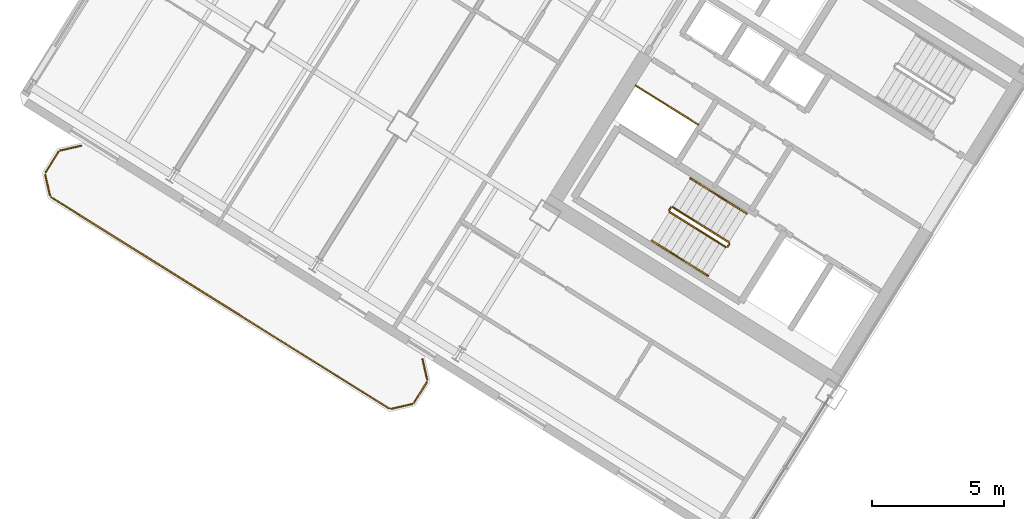
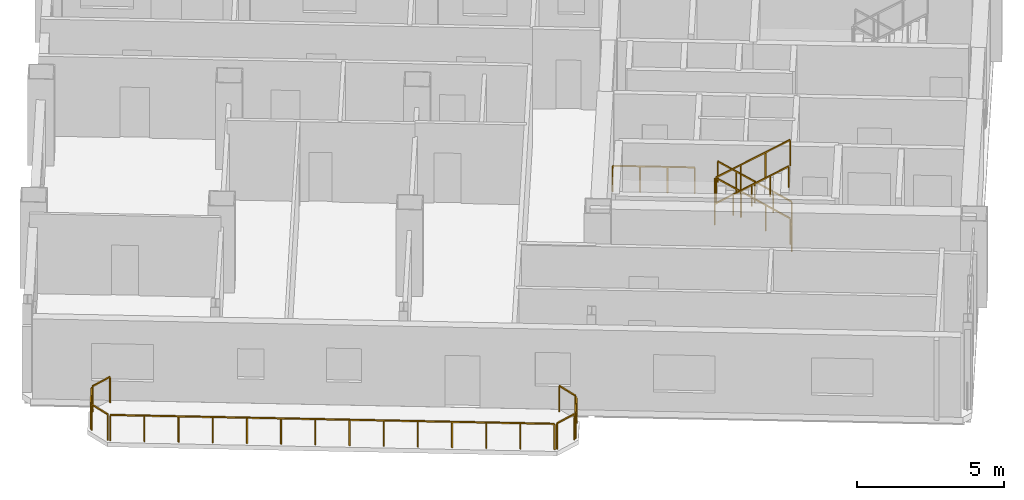
# One storey, part 15 of 18: 16 railings.
"""IFC4 building model written with IfcOpenShell, lengths in metres."""

import ifcopenshell
import ifcopenshell.guid

model = None  # the IFC model being written
_history = None  # IfcOwnerHistory: only IFC2X3 demands one
_inside = {}  # id of a spatial element -> (the spatial element, [elements in it])
_under = {}  # id of a project, library or spatial element -> (it, [spatial elements below it])
_declared = {}  # id of a project -> (the project, [libraries it declares])
_typed = {}  # id of a type object -> (the type object, [elements of that type])
_made_of = {}  # id of a material, layer set ... -> (it, [elements and type objects made of it])


def new_model(schema):
    """Start an empty IFC model of exactly this schema.

    Asked for "IFC4X3", IfcOpenShell would pick the latest addendum, in which some entities
    have other attributes; the version numbers below select the first issue.
    IFC2X3 requires an IfcOwnerHistory on every rooted entity: one is made here for all.
    """
    global model, _history
    if schema == "IFC4X3":
        model = ifcopenshell.file(schema_version=(4, 3, 0, 0))
    else:
        model = ifcopenshell.file(schema=schema)
    _inside.clear()
    _under.clear()
    _declared.clear()
    _typed.clear()
    _made_of.clear()
    _history = None
    if model.schema == "IFC2X3":
        org = make("IfcOrganization", Name="unknown")
        user = make(
            "IfcPersonAndOrganization",
            ThePerson=make("IfcPerson", FamilyName="unknown"),
            TheOrganization=org,
        )
        app = make(
            "IfcApplication",
            ApplicationDeveloper=org,
            Version="unknown",
            ApplicationFullName="unknown",
            ApplicationIdentifier="unknown",
        )
        _history = make(
            "IfcOwnerHistory",
            OwningUser=user,
            OwningApplication=app,
            ChangeAction="ADDED",
            CreationDate=0,
        )
    return model


def make(cls, **values):
    """One entity of the class cls with the attributes given. An attribute that is None is left unset."""
    return model.create_entity(
        cls, **{name: value for name, value in values.items() if value is not None}
    )


def rooted(cls, **values):
    """An entity with a GlobalId (a new one), such as an element, a storey or a relation."""
    return make(cls, GlobalId=ifcopenshell.guid.new(), OwnerHistory=_history, **values)


def si_unit(unit_type, name, prefix=None):
    """IfcSIUnit, for example si_unit("LENGTHUNIT", "METRE", prefix="MILLI")."""
    return make("IfcSIUnit", UnitType=unit_type, Prefix=prefix, Name=name)


def assignment(units):
    """IfcUnitAssignment: the units of a project."""
    return None if units is None else make("IfcUnitAssignment", Units=units)


def point(xyz):
    """IfcCartesianPoint."""
    return None if xyz is None else make("IfcCartesianPoint", Coordinates=xyz)


def direction(xyz):
    """IfcDirection."""
    return None if xyz is None else make("IfcDirection", DirectionRatios=xyz)


def frame(location, z_axis=None, x_axis=None):
    """IfcAxis2Placement3D, a coordinate frame: its origin and axes. An axis left out is left unset."""
    return make(
        "IfcAxis2Placement3D",
        Location=point(location),
        Axis=direction(z_axis),
        RefDirection=direction(x_axis),
    )


def frame_2d(location, x_axis=None):
    """IfcAxis2Placement2D, a coordinate frame in the plane: its origin and x axis."""
    return make(
        "IfcAxis2Placement2D", Location=point(location), RefDirection=direction(x_axis)
    )


def origin():
    """The frame at (0, 0, 0) with its axes left unset."""
    return frame((0.0, 0.0, 0.0))


def origin_2d():
    """The frame at (0, 0) in the plane with its x axis left unset."""
    return frame_2d((0.0, 0.0))


def place(relative_to, where):
    """IfcLocalPlacement: puts the frame where relative to a parent placement (None: the world)."""
    return make(
        "IfcLocalPlacement", PlacementRelTo=relative_to, RelativePlacement=where
    )


def context(
    kind, dimensions, precision=None, world=None, true_north=None, identifier=None
):
    """IfcGeometricRepresentationContext, for example the 3D "Model" context."""
    return make(
        "IfcGeometricRepresentationContext",
        ContextIdentifier=identifier,
        ContextType=kind,
        CoordinateSpaceDimension=dimensions,
        Precision=precision,
        WorldCoordinateSystem=world,
        TrueNorth=true_north,
    )


def subcontext(parent, identifier, kind, view, scale=None):
    """IfcGeometricRepresentationSubContext, for example "Body" below "Model"."""
    return make(
        "IfcGeometricRepresentationSubContext",
        ContextIdentifier=identifier,
        ContextType=kind,
        ParentContext=parent,
        TargetScale=scale,
        TargetView=view,
    )


def project(units=None, contexts=None):
    """IfcProject with its units and contexts."""
    return rooted(
        "IfcProject",
        Name="project",
        RepresentationContexts=contexts,
        UnitsInContext=assignment(units),
    )


def spatial(cls, under=None, at=None, **own):
    """A site, building, storey or space (cls), placed at a placement, below another one or the project."""
    s = rooted(cls, ObjectPlacement=at, **own)
    if under is not None:
        _under.setdefault(under.id(), (under, []))[1].append(s)
    return s


def profile(cls, at=None, kind="AREA", **sizes):
    """A parametric profile (cls). Its sizes go by their IFC names, for example OverallWidth=200.0."""
    return make(cls, ProfileType=kind, Position=at, **sizes)


def rectangle(**sizes):
    """IfcRectangleProfileDef."""
    return profile("IfcRectangleProfileDef", **sizes)


def extrude(swept, where, along, depth):
    """IfcExtrudedAreaSolid: the profile swept, set in the frame where, extruded along a direction by depth."""
    return make(
        "IfcExtrudedAreaSolid",
        SweptArea=swept,
        Position=where,
        ExtrudedDirection=direction(along),
        Depth=depth,
    )


def shape(context_of_items, identifier, shape_type, items):
    """IfcShapeRepresentation: the items that make up one representation, for example the "Body"."""
    return make(
        "IfcShapeRepresentation",
        ContextOfItems=context_of_items,
        RepresentationIdentifier=identifier,
        RepresentationType=shape_type,
        Items=items,
    )


def source(mapping_origin, context_of_items, identifier, shape_type, items):
    """IfcRepresentationMap: a shape defined once, which mapped items show again and again."""
    return make(
        "IfcRepresentationMap",
        MappingOrigin=mapping_origin,
        MappedRepresentation=shape(context_of_items, identifier, shape_type, items),
    )


def transform(
    local_origin,
    x_axis=None,
    y_axis=None,
    z_axis=None,
    scale=None,
    scale2=None,
    scale3=None,
    uniform=True,
):
    """IfcCartesianTransformationOperator3D, or its non-uniform kind. x_axis, y_axis, z_axis: its Axis1, 2, 3."""
    if uniform:
        return make(
            "IfcCartesianTransformationOperator3D",
            Axis1=direction(x_axis),
            Axis2=direction(y_axis),
            LocalOrigin=point(local_origin),
            Scale=scale,
            Axis3=direction(z_axis),
        )
    return make(
        "IfcCartesianTransformationOperator3DnonUniform",
        Axis1=direction(x_axis),
        Axis2=direction(y_axis),
        LocalOrigin=point(local_origin),
        Scale=scale,
        Axis3=direction(z_axis),
        Scale2=scale2,
        Scale3=scale3,
    )


def mapped(mapping_source, mapping_target):
    """IfcMappedItem: shows the shape of a source again, moved by a transform."""
    return make(
        "IfcMappedItem", MappingSource=mapping_source, MappingTarget=mapping_target
    )


def material(Name=None, Category=None):
    """IfcMaterial."""
    return make("IfcMaterial", Name=Name, Category=Category)


def made_of(thing, what):
    """Note that an element or type object is made of a material, layer set ...; save() writes the relation."""
    if what is not None:
        _made_of.setdefault(what.id(), (what, []))[1].append(thing)
    return thing


def type_object(cls, material=None, **own):
    """A type object (cls), such as IfcWallType, which elements share."""
    return made_of(rooted(cls, **own), material)


def element(
    cls,
    number,
    at=None,
    inside=None,
    cuts=None,
    type_object=None,
    material=None,
    context=None,
    identifier="Body",
    shape_type=None,
    held_by="IfcProductDefinitionShape",
    body=None,
    shapes=None,
    **own,
):
    """One element of the class cls, such as IfcWall. Its Tag is "e" and its number.

    at: its placement. inside: the storey or other place that contains it. cuts: it is an
    opening in that element (IfcRelVoidsElement). A single representation is given by context,
    identifier, shape_type and body (its items); several are given by shapes. held_by: the class
    of the entity that holds the representations. save() writes the other relations.
    """
    e = rooted(cls, Tag="e%d" % number, ObjectPlacement=at, **own)
    if body is not None:
        shapes = [shape(context, identifier, shape_type, body)]
    if shapes is not None:
        e.Representation = make(held_by, Representations=shapes)
    if inside is not None:
        _inside.setdefault(inside.id(), (inside, []))[1].append(e)
    if cuts is not None:
        rooted(
            "IfcRelVoidsElement", RelatingBuildingElement=cuts, RelatedOpeningElement=e
        )
    if type_object is not None:
        _typed.setdefault(type_object.id(), (type_object, []))[1].append(e)
    return made_of(e, material)


def aggregate(whole, parts):
    """IfcRelAggregates: a whole, such as a stair, and the parts it consists of."""
    return rooted("IfcRelAggregates", RelatingObject=whole, RelatedObjects=parts)


def save(model, path):
    """Write the relations noted so far, then the file.

    IfcRelAggregates (storeys below a building ...), IfcRelContainedInSpatialStructure (elements
    in a storey), IfcRelDefinesByType, IfcRelAssociatesMaterial and IfcRelDeclares: one each for
    every whole, place, type object, material and project.
    """
    for whole, parts in _under.values():
        aggregate(whole, parts)
    for where, things in _inside.values():
        rooted(
            "IfcRelContainedInSpatialStructure",
            RelatedElements=things,
            RelatingStructure=where,
        )
    for kind, things in _typed.values():
        rooted("IfcRelDefinesByType", RelatedObjects=things, RelatingType=kind)
    for what, things in _made_of.values():
        rooted("IfcRelAssociatesMaterial", RelatedObjects=things, RelatingMaterial=what)
    for by, libraries in _declared.values():
        rooted("IfcRelDeclares", RelatingContext=by, RelatedDefinitions=libraries)
    model.write(path)


model = new_model("IFC4")

# Units and contexts
model_context = context("Model", 3, precision=1e-05, world=origin(), true_north=direction((0.0, 1.0)))
body_context = subcontext(model_context, "Body", "Model", "MODEL_VIEW")
ifc_project = project(units=[si_unit("LENGTHUNIT", "METRE"), si_unit("AREAUNIT", "SQUARE_METRE"), si_unit("VOLUMEUNIT", "CUBIC_METRE"), si_unit("PLANEANGLEUNIT", "RADIAN"), si_unit("MASSUNIT", "GRAM", prefix="KILO")], contexts=[model_context])

# Site, building, storey
site_placement = place(None, origin())
site = spatial("IfcSite", under=ifc_project, at=site_placement, CompositionType="ELEMENT")
building_placement = place(site_placement, origin())
building = spatial("IfcBuilding", under=site, at=building_placement, Name="Tlacorven Tower", CompositionType="ELEMENT")
storey_placement = place(building_placement, frame((0.0, 0.0, 132.60009765625)))
storey = spatial("IfcBuildingStorey", under=building, at=storey_placement, Name="L33", CompositionType="ELEMENT", Elevation=132.60009765625)

# Railings
ifc_material = material(Name="Aluminium and painted steel balustrade", Category="steel")
railing_type_1 = type_object("IfcRailingType", Name="RL-GRD-1100", PredefinedType="GUARDRAIL", material=ifc_material)
shared_shape_1 = source(origin(), body_context, "Body", "SweptSolid", [
    extrude(rectangle(XDim=0.048095703125, YDim=0.048095703125, at=origin_2d()), frame((0.0, 0.0, 1.076171875), z_axis=(-0.848091358275, 0.529850024081, 0.0), x_axis=(-0.529850024081, -0.848091358275, 0.0)), (0.0, 0.0, 1.0), 2.800048828125),
    extrude(rectangle(XDim=0.0419921875, YDim=0.0419921875, at=origin_2d()), origin(), (0.0, 0.0, 1.0), 1.052001953125),
    extrude(rectangle(XDim=0.0419921875, YDim=0.0419921875, at=origin_2d()), frame((-0.79150390625, 0.49462890625, 0.0)), (0.0, 0.0, 1.0), 1.052001953125),
    extrude(rectangle(XDim=0.0419921875, YDim=0.0419921875, at=origin_2d()), frame((-1.583251953125, 0.989013671875, 0.0)), (0.0, 0.0, 1.0), 1.052001953125),
    extrude(rectangle(XDim=0.0419921875, YDim=0.0419921875, at=origin_2d()), frame((-2.374755859375, 1.483642578125, 0.0)), (0.0, 0.0, 1.0), 1.052001953125),
])
railing_1_placement = place(storey_placement, frame((27.9912109375, 22.32080078125, 0.0)))
element("IfcRailing", 1, at=railing_1_placement, inside=storey, type_object=railing_type_1, Name="L33 Electrical Riser W Shaft Guard 1", PredefinedType="GUARDRAIL", context=body_context, shape_type="MappedRepresentation", body=[
    mapped(shared_shape_1, transform((0.0, 0.0, 0.0), scale=1.0)),
])
railing_type_2 = type_object("IfcRailingType", Name="RL-BAL-1100", PredefinedType="BALUSTRADE", material=ifc_material)
shared_shape_2 = source(origin(), body_context, "Body", "SweptSolid", [
    extrude(rectangle(XDim=0.048095703125, YDim=0.048095703125, at=origin_2d()), frame((0.0, 0.0, 1.076171875), z_axis=(0.225058334816, -0.974345290916, 0.0), x_axis=(0.974345290916, 0.225058334816, 0.0)), (0.0, 0.0, 1.0), 0.80712890625),
    extrude(rectangle(XDim=0.0419921875, YDim=0.0419921875, at=origin_2d()), origin(), (0.0, 0.0, 1.0), 1.052001953125),
    extrude(rectangle(XDim=0.0419921875, YDim=0.0419921875, at=origin_2d()), frame((0.181640625, -0.786376953125, 0.0)), (0.0, 0.0, 1.0), 1.052001953125),
])
railing_2_placement = place(storey_placement, frame((17.5244140625, 13.413330078125, 0.0)))
element("IfcRailing", 2, at=railing_2_placement, inside=storey, type_object=railing_type_2, Name="BAL-L33-W-OUT Guard Railing 1", PredefinedType="BALUSTRADE", context=body_context, shape_type="MappedRepresentation", body=[
    mapped(shared_shape_2, transform((0.0, 0.0, 0.0), scale=1.0)),
])
shared_shape_3 = source(origin(), body_context, "Body", "SweptSolid", [
    extrude(rectangle(XDim=0.048095703125, YDim=0.048095703125, at=origin_2d()), frame((0.0, 0.0, 1.076171875), z_axis=(-0.52987865805, -0.848073468364, 0.0), x_axis=(0.848073468364, -0.52987865805, 0.0)), (0.0, 0.0, 1.0), 0.912353515625),
    extrude(rectangle(XDim=0.0419921875, YDim=0.0419921875, at=origin_2d()), origin(), (0.0, 0.0, 1.0), 1.052001953125),
    extrude(rectangle(XDim=0.0419921875, YDim=0.0419921875, at=origin_2d()), frame((-0.4833984375, -0.773681640625, 0.0)), (0.0, 0.0, 1.0), 1.052001953125),
])
railing_3_placement = place(storey_placement, frame((17.690673828125, 12.535888671875, 0.0)))
element("IfcRailing", 3, at=railing_3_placement, inside=storey, type_object=railing_type_2, Name="BAL-L33-W-OUT Guard Railing 2", PredefinedType="BALUSTRADE", context=body_context, shape_type="MappedRepresentation", body=[
    mapped(shared_shape_3, transform((0.0, 0.0, 0.0), scale=1.0)),
])
shared_shape_4 = source(origin(), body_context, "Body", "SweptSolid", [
    extrude(rectangle(XDim=0.048095703125, YDim=0.048095703125, at=origin_2d()), frame((0.0, 0.0, 1.076171875), z_axis=(-0.974411586182, -0.224771129628, 0.0), x_axis=(0.224771129628, -0.974411586182, 0.0)), (0.0, 0.0, 1.0), 0.80712890625),
    extrude(rectangle(XDim=0.0419921875, YDim=0.0419921875, at=origin_2d()), origin(), (0.0, 0.0, 1.0), 1.052001953125),
    extrude(rectangle(XDim=0.0419921875, YDim=0.0419921875, at=origin_2d()), frame((-0.786376953125, -0.181396484375, 0.0)), (0.0, 0.0, 1.0), 1.052001953125),
])
railing_4_placement = place(storey_placement, frame((17.132080078125, 11.70849609375, 0.0)))
element("IfcRailing", 4, at=railing_4_placement, inside=storey, type_object=railing_type_2, Name="BAL-L33-W-OUT Guard Railing 3", PredefinedType="BALUSTRADE", context=body_context, shape_type="MappedRepresentation", body=[
    mapped(shared_shape_4, transform((0.0, 0.0, 0.0), scale=1.0)),
])
shared_shape_5 = source(origin(), body_context, "Body", "SweptSolid", [
    extrude(rectangle(XDim=0.048095703125, YDim=0.048095703125, at=origin_2d()), frame((0.0, 0.0, 1.076171875), z_axis=(-0.848044572804, 0.529924902733, 0.0), x_axis=(-0.529924902733, -0.848044572804, 0.0)), (0.0, 0.0, 1.0), 15.1171875),
    extrude(rectangle(XDim=0.0419921875, YDim=0.0419921875, at=origin_2d()), origin(), (0.0, 0.0, 1.0), 1.052001953125),
    extrude(rectangle(XDim=0.0419921875, YDim=0.0419921875, at=origin_2d()), frame((-0.986083984375, 0.6162109375, 0.0)), (0.0, 0.0, 1.0), 1.052001953125),
    extrude(rectangle(XDim=0.0419921875, YDim=0.0419921875, at=origin_2d()), frame((-1.972412109375, 1.232421875, 0.0)), (0.0, 0.0, 1.0), 1.052001953125),
    extrude(rectangle(XDim=0.0419921875, YDim=0.0419921875, at=origin_2d()), frame((-2.95849609375, 1.8486328125, 0.0)), (0.0, 0.0, 1.0), 1.052001953125),
    extrude(rectangle(XDim=0.0419921875, YDim=0.0419921875, at=origin_2d()), frame((-3.944580078125, 2.46484375, 0.0)), (0.0, 0.0, 1.0), 1.052001953125),
    extrude(rectangle(XDim=0.0419921875, YDim=0.0419921875, at=origin_2d()), frame((-4.930908203125, 3.0810546875, 0.0)), (0.0, 0.0, 1.0), 1.052001953125),
    extrude(rectangle(XDim=0.0419921875, YDim=0.0419921875, at=origin_2d()), frame((-5.9169921875, 3.697265625, 0.0)), (0.0, 0.0, 1.0), 1.052001953125),
    extrude(rectangle(XDim=0.0419921875, YDim=0.0419921875, at=origin_2d()), frame((-6.903076171875, 4.313720703125, 0.0)), (0.0, 0.0, 1.0), 1.052001953125),
    extrude(rectangle(XDim=0.0419921875, YDim=0.0419921875, at=origin_2d()), frame((-7.88916015625, 4.929931640625, 0.0)), (0.0, 0.0, 1.0), 1.052001953125),
    extrude(rectangle(XDim=0.0419921875, YDim=0.0419921875, at=origin_2d()), frame((-8.87548828125, 5.546142578125, 0.0)), (0.0, 0.0, 1.0), 1.052001953125),
    extrude(rectangle(XDim=0.0419921875, YDim=0.0419921875, at=origin_2d()), frame((-9.861572265625, 6.162353515625, 0.0)), (0.0, 0.0, 1.0), 1.052001953125),
    extrude(rectangle(XDim=0.0419921875, YDim=0.0419921875, at=origin_2d()), frame((-10.84765625, 6.778564453125, 0.0)), (0.0, 0.0, 1.0), 1.052001953125),
    extrude(rectangle(XDim=0.0419921875, YDim=0.0419921875, at=origin_2d()), frame((-11.833984375, 7.394775390625, 0.0)), (0.0, 0.0, 1.0), 1.052001953125),
    extrude(rectangle(XDim=0.0419921875, YDim=0.0419921875, at=origin_2d()), frame((-12.820068359375, 8.010986328125, 0.0)), (0.0, 0.0, 1.0), 1.052001953125),
])
railing_5_placement = place(storey_placement, frame((16.254638671875, 11.542236328125, 0.0)))
element("IfcRailing", 5, at=railing_5_placement, inside=storey, type_object=railing_type_2, Name="BAL-L33-W-OUT Guard Railing 4", PredefinedType="BALUSTRADE", context=body_context, shape_type="MappedRepresentation", body=[
    mapped(shared_shape_5, transform((0.0, 0.0, 0.0), scale=1.0)),
])
shared_shape_6 = source(origin(), body_context, "Body", "SweptSolid", [
    extrude(rectangle(XDim=0.048095703125, YDim=0.048095703125, at=origin_2d()), frame((0.0, 0.0, 1.076171875), z_axis=(-0.225058334816, 0.974345290916, 0.0), x_axis=(-0.974345290916, -0.225058334816, 0.0)), (0.0, 0.0, 1.0), 0.80712890625),
    extrude(rectangle(XDim=0.0419921875, YDim=0.0419921875, at=origin_2d()), origin(), (0.0, 0.0, 1.0), 1.052001953125),
    extrude(rectangle(XDim=0.0419921875, YDim=0.0419921875, at=origin_2d()), frame((-0.181640625, 0.786376953125, 0.0)), (0.0, 0.0, 1.0), 1.052001953125),
])
railing_6_placement = place(storey_placement, frame((3.380859375, 19.62841796875, 0.0)))
element("IfcRailing", 6, at=railing_6_placement, inside=storey, type_object=railing_type_2, Name="BAL-L33-W-OUT Guard Railing 5", PredefinedType="BALUSTRADE", context=body_context, shape_type="MappedRepresentation", body=[
    mapped(shared_shape_6, transform((0.0, 0.0, 0.0), scale=1.0)),
])
shared_shape_7 = source(origin(), body_context, "Body", "SweptSolid", [
    extrude(rectangle(XDim=0.048095703125, YDim=0.048095703125, at=origin_2d()), frame((0.0, 0.0, 1.076171875), z_axis=(0.52987865805, 0.848073468364, 0.0), x_axis=(-0.848073468364, 0.52987865805, 0.0)), (0.0, 0.0, 1.0), 0.912353515625),
    extrude(rectangle(XDim=0.0419921875, YDim=0.0419921875, at=origin_2d()), origin(), (0.0, 0.0, 1.0), 1.052001953125),
    extrude(rectangle(XDim=0.0419921875, YDim=0.0419921875, at=origin_2d()), frame((0.4833984375, 0.773681640625, 0.0)), (0.0, 0.0, 1.0), 1.052001953125),
])
railing_7_placement = place(storey_placement, frame((3.214599609375, 20.505859375, 0.0)))
element("IfcRailing", 7, at=railing_7_placement, inside=storey, type_object=railing_type_2, Name="BAL-L33-W-OUT Guard Railing 6", PredefinedType="BALUSTRADE", context=body_context, shape_type="MappedRepresentation", body=[
    mapped(shared_shape_7, transform((0.0, 0.0, 0.0), scale=1.0)),
])
shared_shape_8 = source(origin(), body_context, "Body", "SweptSolid", [
    extrude(rectangle(XDim=0.048095703125, YDim=0.048095703125, at=origin_2d()), frame((0.0, 0.0, 1.076171875), z_axis=(0.974345290916, 0.225058334816, 0.0), x_axis=(-0.225058334816, 0.974345290916, 0.0)), (0.0, 0.0, 1.0), 0.80712890625),
    extrude(rectangle(XDim=0.0419921875, YDim=0.0419921875, at=origin_2d()), origin(), (0.0, 0.0, 1.0), 1.052001953125),
    extrude(rectangle(XDim=0.0419921875, YDim=0.0419921875, at=origin_2d()), frame((0.786376953125, 0.181640625, 0.0)), (0.0, 0.0, 1.0), 1.052001953125),
])
railing_8_placement = place(storey_placement, frame((3.773193359375, 21.3330078125, 0.0)))
element("IfcRailing", 8, at=railing_8_placement, inside=storey, type_object=railing_type_2, Name="BAL-L33-W-OUT Guard Railing 7", PredefinedType="BALUSTRADE", context=body_context, shape_type="MappedRepresentation", body=[
    mapped(shared_shape_8, transform((0.0, 0.0, 0.0), scale=1.0)),
])
shared_shape_9 = source(origin(), body_context, "Body", "SweptSolid", [
    extrude(rectangle(XDim=0.048095703125, YDim=0.048095703125, at=origin_2d()), frame((0.0, 0.0, 1.076171875), z_axis=(-0.529084052582, -0.848569422795, 0.0), x_axis=(0.848569422795, -0.529084052582, 0.0)), (0.0, 0.0, 1.0), 0.119873046875),
    extrude(rectangle(XDim=0.0419921875, YDim=0.0419921875, at=origin_2d()), origin(), (0.0, 0.0, 1.0), 1.052001953125),
    extrude(rectangle(XDim=0.0419921875, YDim=0.0419921875, at=origin_2d()), frame((-0.0634765625, -0.101806640625, 0.0)), (0.0, 0.0, 1.0), 1.052001953125),
])
railing_9_placement = place(storey_placement, frame((29.176513671875, 17.782958984375, 0.0)))
element("IfcRailing", 9, at=railing_9_placement, inside=storey, type_object=railing_type_1, Name="L33 ST-W1 stair guard 4", PredefinedType="GUARDRAIL", context=body_context, shape_type="MappedRepresentation", body=[
    mapped(shared_shape_9, transform((0.0, 0.0, 0.0), scale=1.0)),
])
shared_shape_10 = source(origin(), body_context, "Body", "SweptSolid", [
    extrude(rectangle(XDim=0.048095703125, YDim=0.048095703125, at=origin_2d()), frame((0.0, 0.0, 1.076171875), z_axis=(-0.530546985787, -0.847655529016, 0.0), x_axis=(0.847655529016, -0.530546985787, 0.0)), (0.0, 0.0, 1.0), 0.1201171875),
    extrude(rectangle(XDim=0.0419921875, YDim=0.0419921875, at=origin_2d()), origin(), (0.0, 0.0, 1.0), 1.052001953125),
    extrude(rectangle(XDim=0.0419921875, YDim=0.0419921875, at=origin_2d()), frame((-0.063720703125, -0.101806640625, 0.0)), (0.0, 0.0, 1.0), 1.052001953125),
])
railing_10_placement = place(storey_placement, frame((26.954833984375, 19.17138671875, 1.7998046875)))
element("IfcRailing", 10, at=railing_10_placement, inside=storey, type_object=railing_type_1, Name="L33 ST-W1 stair guard 2", PredefinedType="GUARDRAIL", context=body_context, shape_type="MappedRepresentation", body=[
    mapped(shared_shape_10, transform((0.0, 0.0, 0.0), scale=1.0)),
])
railing_type_3 = type_object("IfcRailingType", Name="RL-HND-0900", PredefinedType="HANDRAIL", material=ifc_material)
shared_shape_11 = source(origin(), body_context, "Body", "SweptSolid", [
    extrude(rectangle(XDim=0.048095703125, YDim=0.048095703125, at=origin_2d()), frame((0.0, 0.0, 0.8759765625), z_axis=(-0.713359751793, 0.4457479829, 0.540764828981), x_axis=(-0.529911857636, -0.848052724267, 0.0)), (0.0, 0.0, 1.0), 1.498046875),
    extrude(rectangle(XDim=0.0419921875, YDim=0.0419921875, at=origin_2d()), origin(), (0.0, 0.0, 1.0), 0.851806640625),
    extrude(rectangle(XDim=0.0419921875, YDim=0.0419921875, at=origin_2d()), frame((-0.5341796875, 0.333984375, 0.405029296875)), (0.0, 0.0, 1.0), 0.851806640625),
    extrude(rectangle(XDim=0.0419921875, YDim=0.0419921875, at=origin_2d()), frame((-1.068603515625, 0.667724609375, 0.81005859375)), (0.0, 0.0, 1.0), 0.851806640625),
])
railing_11_placement = place(storey_placement, frame((29.839111328125, 18.937255859375, 0.179931640625)))
element("IfcRailing", 11, at=railing_11_placement, inside=storey, type_object=railing_type_3, Name="L33 ST-W1 stair handrail 1", PredefinedType="HANDRAIL", context=body_context, shape_type="MappedRepresentation", body=[
    mapped(shared_shape_11, transform((0.0, 0.0, 0.0), scale=1.0)),
])
shared_shape_12 = source(origin(), body_context, "Body", "SweptSolid", [
    extrude(rectangle(XDim=0.048095703125, YDim=0.048095703125, at=origin_2d()), frame((0.0, 0.0, 0.8759765625), z_axis=(0.713279695859, -0.445799809912, 0.540827703579), x_axis=(0.529998940003, 0.847998304005, 0.0)), (0.0, 0.0, 1.0), 1.497802734375),
    extrude(rectangle(XDim=0.0419921875, YDim=0.0419921875, at=origin_2d()), origin(), (0.0, 0.0, 1.0), 0.851806640625),
    extrude(rectangle(XDim=0.0419921875, YDim=0.0419921875, at=origin_2d()), frame((0.5341796875, -0.333984375, 0.405029296875)), (0.0, 0.0, 1.0), 0.851806640625),
    extrude(rectangle(XDim=0.0419921875, YDim=0.0419921875, at=origin_2d()), frame((1.068359375, -0.667724609375, 0.81005859375)), (0.0, 0.0, 1.0), 0.851806640625),
])
railing_12_placement = place(storey_placement, frame((27.29736328125, 17.24755859375, 2.789794921875)))
element("IfcRailing", 12, at=railing_12_placement, inside=storey, type_object=railing_type_3, Name="L33 ST-W1 stair handrail 4", PredefinedType="HANDRAIL", context=body_context, shape_type="MappedRepresentation", body=[
    mapped(shared_shape_12, transform((0.0, 0.0, 0.0), scale=1.0)),
])
shared_shape_13 = source(origin(), body_context, "Body", "SweptSolid", [
    extrude(rectangle(XDim=0.048095703125, YDim=0.048095703125, at=origin_2d()), frame((0.0, 0.0, 1.076171875), z_axis=(-0.713351164325, 0.445793541512, 0.540738601085), x_axis=(-0.529955395941, -0.84802551749, 0.0)), (0.0, 0.0, 1.0), 2.99560546875),
    extrude(rectangle(XDim=0.0419921875, YDim=0.0419921875, at=origin_2d()), origin(), (0.0, 0.0, 1.0), 1.052001953125),
    extrude(rectangle(XDim=0.0419921875, YDim=0.0419921875, at=origin_2d()), frame((-0.71240234375, 0.445068359375, 0.5400390625)), (0.0, 0.0, 1.0), 1.052001953125),
    extrude(rectangle(XDim=0.0419921875, YDim=0.0419921875, at=origin_2d()), frame((-1.424560546875, 0.890380859375, 1.079833984375)), (0.0, 0.0, 1.0), 1.052001953125),
    extrude(rectangle(XDim=0.0419921875, YDim=0.0419921875, at=origin_2d()), frame((-2.136962890625, 1.33544921875, 1.619873046875)), (0.0, 0.0, 1.0), 1.052001953125),
])
railing_13_placement = place(storey_placement, frame((29.16064453125, 17.851806640625, 0.179931640625)))
element("IfcRailing", 13, at=railing_13_placement, inside=storey, type_object=railing_type_1, Name="L33 ST-W1 stair guard 1", PredefinedType="GUARDRAIL", context=body_context, shape_type="MappedRepresentation", body=[
    mapped(shared_shape_13, transform((0.0, 0.0, 0.0), scale=1.0)),
])
shared_shape_14 = source(origin(), body_context, "Body", "SweptSolid", [
    extrude(rectangle(XDim=0.048095703125, YDim=0.048095703125, at=origin_2d()), frame((0.0, 0.0, 1.076171875), z_axis=(0.71339118691, -0.44576762536, 0.540707165313), x_axis=(0.529911857636, 0.848052724267, 0.0)), (0.0, 0.0, 1.0), 2.995849609375),
    extrude(rectangle(XDim=0.0419921875, YDim=0.0419921875, at=origin_2d()), origin(), (0.0, 0.0, 1.0), 1.052001953125),
    extrude(rectangle(XDim=0.0419921875, YDim=0.0419921875, at=origin_2d()), frame((0.71240234375, -0.445068359375, 0.5400390625)), (0.0, 0.0, 1.0), 1.052001953125),
    extrude(rectangle(XDim=0.0419921875, YDim=0.0419921875, at=origin_2d()), frame((1.4248046875, -0.890380859375, 1.079833984375)), (0.0, 0.0, 1.0), 1.052001953125),
    extrude(rectangle(XDim=0.0419921875, YDim=0.0419921875, at=origin_2d()), frame((2.13720703125, -1.33544921875, 1.619873046875)), (0.0, 0.0, 1.0), 1.052001953125),
])
railing_14_placement = place(storey_placement, frame((26.906982421875, 19.000732421875, 1.97998046875)))
element("IfcRailing", 14, at=railing_14_placement, inside=storey, type_object=railing_type_1, Name="L33 ST-W1 stair guard 3", PredefinedType="GUARDRAIL", context=body_context, shape_type="MappedRepresentation", body=[
    mapped(shared_shape_14, transform((0.0, 0.0, 0.0), scale=1.0)),
])
shared_shape_15 = source(origin(), body_context, "Body", "SweptSolid", [
    extrude(rectangle(XDim=0.048095703125, YDim=0.048095703125, at=origin_2d()), frame((0.0, 0.0, 0.8759765625), z_axis=(-0.713422621445, 0.445787267455, 0.540649494022), x_axis=(-0.529911857636, -0.848052724267, 0.0)), (0.0, 0.0, 1.0), 1.497802734375),
    extrude(rectangle(XDim=0.0419921875, YDim=0.0419921875, at=origin_2d()), origin(), (0.0, 0.0, 1.0), 0.851806640625),
    extrude(rectangle(XDim=0.0419921875, YDim=0.0419921875, at=origin_2d()), frame((-0.5341796875, 0.333984375, 0.40478515625)), (0.0, 0.0, 1.0), 0.851806640625),
    extrude(rectangle(XDim=0.0419921875, YDim=0.0419921875, at=origin_2d()), frame((-1.068603515625, 0.667724609375, 0.809814453125)), (0.0, 0.0, 1.0), 0.851806640625),
])
railing_15_placement = place(storey_placement, frame((28.7705078125, 19.60498046875, 0.989990234375)))
element("IfcRailing", 15, at=railing_15_placement, inside=storey, type_object=railing_type_3, Name="L33 ST-W1 stair handrail 2", PredefinedType="HANDRAIL", context=body_context, shape_type="MappedRepresentation", body=[
    mapped(shared_shape_15, transform((0.0, 0.0, 0.0), scale=1.0)),
])
shared_shape_16 = source(origin(), body_context, "Body", "SweptSolid", [
    extrude(rectangle(XDim=0.048095703125, YDim=0.048095703125, at=origin_2d()), frame((0.0, 0.0, 0.8759765625), z_axis=(0.713422621445, -0.445787267455, 0.540649494022), x_axis=(0.529911857636, 0.848052724267, 0.0)), (0.0, 0.0, 1.0), 1.497802734375),
    extrude(rectangle(XDim=0.0419921875, YDim=0.0419921875, at=origin_2d()), origin(), (0.0, 0.0, 1.0), 0.851806640625),
    extrude(rectangle(XDim=0.0419921875, YDim=0.0419921875, at=origin_2d()), frame((0.5341796875, -0.333984375, 0.40478515625)), (0.0, 0.0, 1.0), 0.851806640625),
    extrude(rectangle(XDim=0.0419921875, YDim=0.0419921875, at=origin_2d()), frame((1.068603515625, -0.667724609375, 0.809814453125)), (0.0, 0.0, 1.0), 0.851806640625),
])
railing_16_placement = place(storey_placement, frame((26.228759765625, 17.915283203125, 1.97998046875)))
element("IfcRailing", 16, at=railing_16_placement, inside=storey, type_object=railing_type_3, Name="L33 ST-W1 stair handrail 3", PredefinedType="HANDRAIL", context=body_context, shape_type="MappedRepresentation", body=[
    mapped(shared_shape_16, transform((0.0, 0.0, 0.0), scale=1.0)),
])

save(model, "model.ifc")
